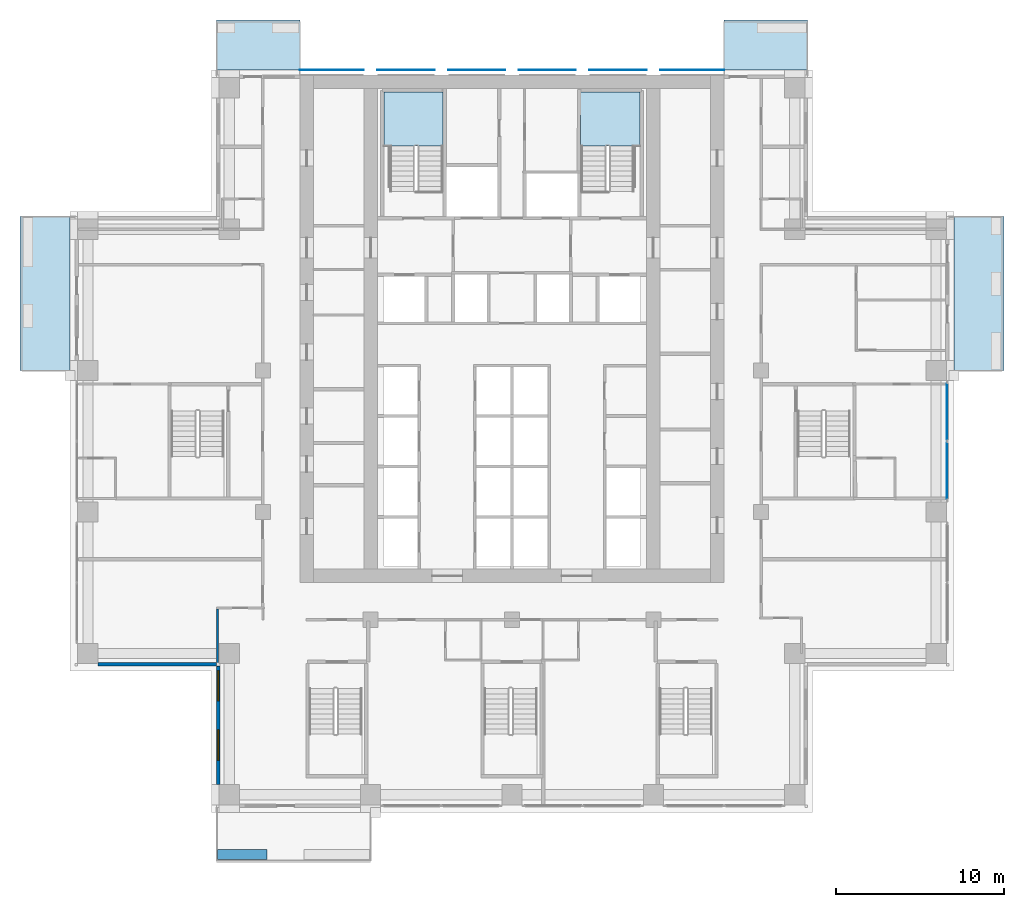
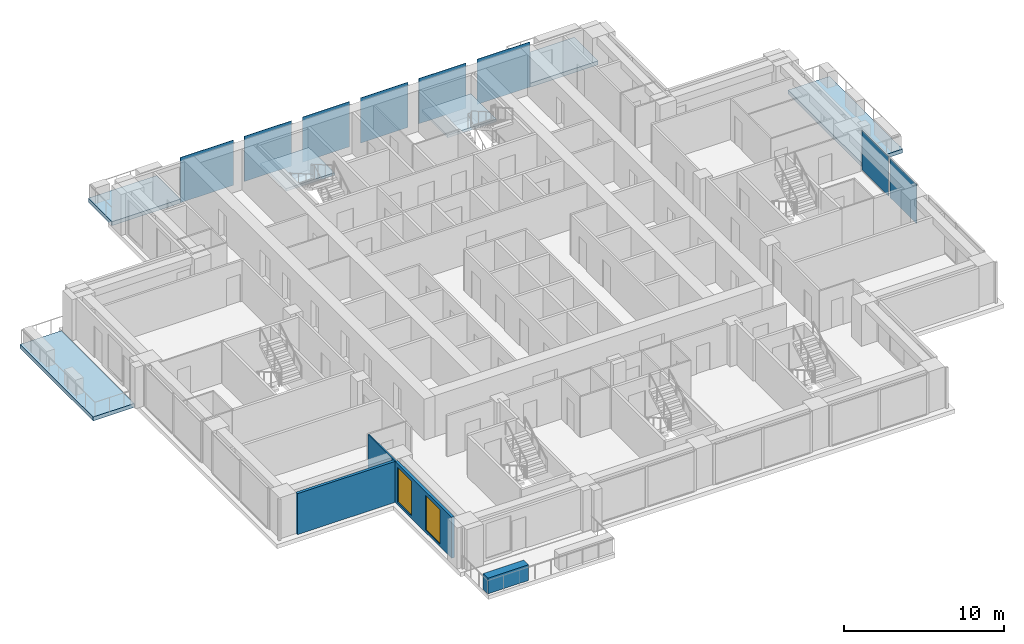
# One storey, part 6 of 17: 8 plates, 6 slabs, 4 walls, 2 windows, 2 openings, 3 elements without a shape of their own.
"""IFC4 building model written with IfcOpenShell, lengths in metres."""

from ifc_helpers import new_model, si_unit, direction, frame, frame_2d, origin, origin_2d, place, context, subcontext, project, spatial, polyline, rectangle, outline, extrude, material, layer, layer_set, type_object, element, fill, aggregate, save


model = new_model("IFC4")

# Units and contexts
model_context = context("Model", 3, precision=1e-05, world=origin(), true_north=direction((0.0, 1.0)))
body_context = subcontext(model_context, "Body", "Model", "MODEL_VIEW")
ifc_project = project(units=[si_unit("LENGTHUNIT", "METRE"), si_unit("AREAUNIT", "SQUARE_METRE"), si_unit("VOLUMEUNIT", "CUBIC_METRE"), si_unit("PLANEANGLEUNIT", "RADIAN"), si_unit("MASSUNIT", "GRAM", prefix="KILO")], contexts=[model_context])

# Site, building, storey
site_placement = place(None, origin())
site = spatial("IfcSite", under=ifc_project, at=site_placement, CompositionType="ELEMENT")
building_placement = place(site_placement, origin())
building = spatial("IfcBuilding", under=site, at=building_placement, Name="Vermilion Ogive Tower", CompositionType="ELEMENT")
storey_placement = place(building_placement, frame((0.0, 0.0, 87.300048828125)))
storey = spatial("IfcBuildingStorey", under=building, at=storey_placement, Name="L21", CompositionType="ELEMENT", Elevation=87.300048828125)

# Slabs
ifc_material_1 = material(Name="Concrete B40", Category="concrete")
ifc_layer_1 = layer(ifc_material_1, 0.300048828125)
ifc_layer_set_1 = layer_set([ifc_layer_1], Name="Balcony slab")
slab_type_1 = type_object("IfcSlabType", Name="Balcony slab", PredefinedType="FLOOR", material=ifc_layer_set_1)
slab_1_placement = place(storey_placement, frame((0.0, 0.0, -0.340087890625)))
element("IfcSlab", 1, at=slab_1_placement, inside=storey, type_object=slab_type_1, Name="Balcony slab E03", PredefinedType="FLOOR", context=body_context, shape_type="SweptSolid", body=[
    extrude(outline(polyline([(29.22998046875, 4.199951171875), (29.22998046875, 13.35009765625), (26.25, 13.35009765625), (26.25, 4.199951171875), (29.22998046875, 4.199951171875)])), origin(), (0.0, 0.0, 1.0), 0.300048828125),
])
slab_2_placement = place(storey_placement, frame((0.0, 0.0, -0.340087890625)))
element("IfcSlab", 2, at=slab_2_placement, inside=storey, type_object=slab_type_1, Name="Balcony slab N101", PredefinedType="FLOOR", context=body_context, shape_type="SweptSolid", body=[
    extrude(outline(polyline([(17.550048828125, 25.030029296875), (12.60009765625, 25.030029296875), (12.60009765625, 22.050048828125), (17.550048828125, 22.050048828125), (17.550048828125, 25.030029296875)])), origin(), (0.0, 0.0, 1.0), 0.300048828125),
])
slab_3_placement = place(storey_placement, frame((0.0, 0.0, -0.340087890625)))
element("IfcSlab", 3, at=slab_3_placement, inside=storey, type_object=slab_type_1, Name="Balcony slab N201", PredefinedType="FLOOR", context=body_context, shape_type="SweptSolid", body=[
    extrude(outline(polyline([(-12.60009765625, 25.030029296875), (-17.550048828125, 25.030029296875), (-17.550048828125, 22.050048828125), (-12.60009765625, 22.050048828125), (-12.60009765625, 25.030029296875)])), origin(), (0.0, 0.0, 1.0), 0.300048828125),
])
slab_4_placement = place(storey_placement, frame((0.0, 0.0, -0.340087890625)))
element("IfcSlab", 4, at=slab_4_placement, inside=storey, type_object=slab_type_1, Name="Balcony slab W01", PredefinedType="FLOOR", context=body_context, shape_type="SweptSolid", body=[
    extrude(outline(polyline([(-29.22998046875, 13.35009765625), (-29.22998046875, 4.199951171875), (-26.25, 4.199951171875), (-26.25, 13.35009765625), (-29.22998046875, 13.35009765625)])), origin(), (0.0, 0.0, 1.0), 0.300048828125),
])

# Curtain wall, plates
ifc_material_2 = material(Name="Low-iron laminated glazing in aluminium frame", Category="aluminium")
curtain_wall_type = type_object("IfcCurtainWallType", Name="Curtain wall CW7", PredefinedType="NOTDEFINED", material=ifc_material_2)
curtain_wall_placement = place(storey_placement, origin())
curtain_wall = element("IfcCurtainWall", 5, at=curtain_wall_placement, inside=storey, type_object=curtain_wall_type, Name="Glazed skin E2", PredefinedType="NOTDEFINED")
ifc_material_3 = material(Name="Low-iron laminated glazing in aluminium frame", Category="aluminium")
ifc_layer_2 = layer(ifc_material_3, 0.031982421875)
ifc_layer_set_2 = layer_set([ifc_layer_2], Name="CW7 glazing panel 32")
plate_type_1 = type_object("IfcPlateType", Name="CW7 glazing panel 32", PredefinedType="CURTAIN_PANEL", material=ifc_layer_set_2)
plate_1_placement = place(storey_placement, frame((25.85009765625, -1.7548828125, 0.06005859375), z_axis=(0.0, 0.0, 1.0), x_axis=(0.0, 1.0, 0.0)))
plate_1 = element("IfcPlate", 6, at=plate_1_placement, type_object=plate_type_1, Name="CW7-E2 panel 1.1", PredefinedType="CURTAIN_PANEL", context=body_context, shape_type="SweptSolid", body=[
    extrude(rectangle(XDim=3.330078125, YDim=0.031982421875, at=origin_2d()), origin(), (0.0, 0.0, 1.0), 3.010009765625),
])
plate_2_placement = place(storey_placement, frame((25.85009765625, 1.7548828125, 0.06005859375), z_axis=(0.0, 0.0, 1.0), x_axis=(0.0, 1.0, 0.0)))
plate_2 = element("IfcPlate", 7, at=plate_2_placement, type_object=plate_type_1, Name="CW7-E2 panel 2.1", PredefinedType="CURTAIN_PANEL", context=body_context, shape_type="SweptSolid", body=[
    extrude(rectangle(XDim=3.330078125, YDim=0.031982421875, at=origin_2d()), origin(), (0.0, 0.0, 1.0), 3.010009765625),
])
aggregate(curtain_wall, [plate_1, plate_2])

# Plates
ifc_material_4 = material(Name="Low-iron laminated glazing in aluminium frame", Category="aluminium")
ifc_layer_3 = layer(ifc_material_4, 0.031982421875)
ifc_layer_set_3 = layer_set([ifc_layer_3], Name="Glazed rainscreen sheet 32")
plate_type_2 = type_object("IfcPlateType", Name="Glazed rainscreen sheet 32", PredefinedType="SHEET", material=ifc_layer_set_3)
plate_3_placement = place(storey_placement, frame((-10.7099609375, 22.06591796875, -0.31982421875), z_axis=(0.0, 0.0, 1.0), x_axis=(1.0, 0.0, 0.0)))
element("IfcPlate", 8, at=plate_3_placement, inside=storey, type_object=plate_type_2, Name="Glazed rainscreen sheet N1", PredefinedType="SHEET", context=body_context, shape_type="SweptSolid", body=[
    extrude(rectangle(XDim=3.820068359375, YDim=0.031982421875, at=origin_2d()), origin(), (0.0, 0.0, 1.0), 3.449951171875),
])
for number, where, z_axis, x_axis, name in (
    (9, (-6.300048828125, 22.06591796875, -0.31982421875), (0.0, 0.0, 1.0), (1.0, 0.0, 0.0), "Glazed rainscreen sheet N2"),
    (10, (-2.10009765625, 22.06591796875, -0.31982421875), (0.0, 0.0, 1.0), (1.0, 0.0, 0.0), "Glazed rainscreen sheet N3"),
    (11, (2.10009765625, 22.06591796875, -0.31982421875), (0.0, 0.0, 1.0), (1.0, 0.0, 0.0), "Glazed rainscreen sheet N4"),
    (12, (6.300048828125, 22.06591796875, -0.31982421875), (0.0, 0.0, 1.0), (1.0, 0.0, 0.0), "Glazed rainscreen sheet N5"),
):
    element("IfcPlate", number, at=place(storey_placement, frame(where, z_axis=z_axis, x_axis=x_axis)), inside=storey, type_object=plate_type_2, Name=name, PredefinedType="SHEET", context=body_context, shape_type="SweptSolid", body=[
        extrude(rectangle(XDim=3.39990234375, YDim=0.031982421875, at=origin_2d()), origin(), (0.0, 0.0, 1.0), 3.449951171875),
    ])
plate_4_placement = place(storey_placement, frame((10.7099609375, 22.06591796875, -0.31982421875), z_axis=(0.0, 0.0, 1.0), x_axis=(1.0, 0.0, 0.0)))
element("IfcPlate", 13, at=plate_4_placement, inside=storey, type_object=plate_type_2, Name="Glazed rainscreen sheet N6", PredefinedType="SHEET", context=body_context, shape_type="SweptSolid", body=[
    extrude(rectangle(XDim=3.820068359375, YDim=0.031982421875, at=origin_2d()), origin(), (0.0, 0.0, 1.0), 3.449951171875),
])

# Stair, slab
ifc_material_5 = material(Name="Concrete B40", Category="concrete")
stair_type = type_object("IfcStairType", Name="Exit stair 1500", PredefinedType="HALF_TURN_STAIR", material=ifc_material_5)
stair_1_placement = place(storey_placement, origin())
stair_1 = element("IfcStair", 14, at=stair_1_placement, inside=storey, type_object=stair_type, Name="L21 Exit Stair ST1", PredefinedType="HALF_TURN_STAIR")
ifc_material_6 = material(Name="Concrete B40", Category="concrete")
ifc_layer_4 = layer(ifc_material_6, 0.199951171875)
ifc_layer_set_4 = layer_set([ifc_layer_4], Name="Stair landing 200")
slab_type_2 = type_object("IfcSlabType", Name="Stair landing 200", PredefinedType="LANDING", material=ifc_layer_set_4)
slab_5_placement = place(storey_placement, frame((0.0, 0.0, 1.52490234375)))
slab_5 = element("IfcSlab", 15, at=slab_5_placement, type_object=slab_type_2, Name="ST1 landing 1", PredefinedType="LANDING", context=body_context, shape_type="SweptSolid", body=[
    extrude(outline(polyline([(-7.60009765625, 17.550048828125), (-7.25, 17.550048828125), (-7.25, 17.548095703125), (-5.75, 17.548095703125), (-5.75, 17.550048828125), (-5.60009765625, 17.550048828125), (-5.60009765625, 17.548095703125), (-4.10009765625, 17.548095703125), (-4.10009765625, 20.75), (-7.60009765625, 20.75), (-7.60009765625, 17.550048828125)])), origin(), (0.0, 0.0, 1.0), 0.199951171875),
])
aggregate(stair_1, [slab_5])

stair_2_placement = place(storey_placement, origin())
stair_2 = element("IfcStair", 16, at=stair_2_placement, inside=storey, type_object=stair_type, Name="L21 Exit Stair ST2", PredefinedType="HALF_TURN_STAIR")
slab_6_placement = place(storey_placement, frame((0.0, 0.0, 1.52490234375)))
slab_6 = element("IfcSlab", 17, at=slab_6_placement, type_object=slab_type_2, Name="ST2 landing 1", PredefinedType="LANDING", context=body_context, shape_type="SweptSolid", body=[
    extrude(outline(polyline([(5.60009765625, 17.550048828125), (5.75, 17.550048828125), (5.75, 17.548095703125), (7.25, 17.548095703125), (7.25, 17.550048828125), (7.60009765625, 17.550048828125), (7.60009765625, 20.75), (4.074951171875, 20.75), (4.074951171875, 17.550048828125), (4.10009765625, 17.550048828125), (4.10009765625, 17.548095703125), (5.60009765625, 17.548095703125), (5.60009765625, 17.550048828125)])), origin(), (0.0, 0.0, 1.0), 0.199951171875),
])
aggregate(stair_2, [slab_6])

# Walls
ifc_material_7 = material(Name="Gypsum board partition on steel studs", Category="steel")
ifc_layer_5 = layer(ifc_material_7, 0.10009765625)
ifc_layer_set_5 = layer_set([ifc_layer_5], Name="Partition 100 bath")
wall_type_1 = type_object("IfcWallType", Name="Partition 100 bath", PredefinedType="PARTITIONING", material=ifc_layer_set_5)
wall_1_placement = place(storey_placement, frame((-17.5, -13.35009765625, 0.0), z_axis=(0.0, 0.0, 1.0), x_axis=(0.0, 1.0, 0.0)))
element("IfcWall", 18, at=wall_1_placement, inside=storey, type_object=wall_type_1, Name="L21-W-W041", PredefinedType="PARTITIONING", context=body_context, shape_type="SweptSolid", body=[
    extrude(rectangle(XDim=3.400146484375, YDim=0.10009765625, at=frame_2d((1.7001953125, 0.0))), origin(), (0.0, 0.0, 1.0), 3.1298828125),
])
ifc_material_8 = material(Name="Concrete B40", Category="concrete")
ifc_layer_6 = layer(ifc_material_8, 0.60009765625)
ifc_layer_set_6 = layer_set([ifc_layer_6], Name="Structural planter")
wall_type_2 = type_object("IfcWallType", Name="Structural planter", PredefinedType="USERDEFINED", material=ifc_layer_set_6)
wall_2_placement = place(storey_placement, frame((-17.489990234375, -24.550048828125, -0.0400390625), z_axis=(0.0, 0.0, 1.0), x_axis=(1.0, 0.0, 0.0)))
element("IfcWall", 19, at=wall_2_placement, inside=storey, type_object=wall_type_2, Name="Planter S01A1", ObjectType="PLANTER", PredefinedType="USERDEFINED", context=body_context, shape_type="SweptSolid", body=[
    extrude(rectangle(XDim=2.93994140625, YDim=0.60009765625, at=frame_2d((1.469970703125, 0.0))), origin(), (0.0, 0.0, 1.0), 1.199951171875),
])
ifc_material_9 = material(Name="Aluminium window wall framing", Category="aluminium")
ifc_layer_7 = layer(ifc_material_9, 0.199951171875)
ifc_layer_set_7 = layer_set([ifc_layer_7], Name="Window wall")
wall_type_3 = type_object("IfcWallType", Name="Window wall", PredefinedType="STANDARD", material=ifc_layer_set_7)
wall_3_placement = place(storey_placement, frame((-24.60009765625, -13.25, 0.0), z_axis=(0.0, 0.0, 1.0), x_axis=(1.0, 0.0, 0.0)))
element("IfcWall", 20, at=wall_3_placement, inside=storey, type_object=wall_type_3, Name="Window wall X71", PredefinedType="STANDARD", context=body_context, shape_type="SweptSolid", body=[
    extrude(rectangle(XDim=7.050048828125, YDim=0.199951171875, at=frame_2d((3.52490234375, 0.0))), origin(), (0.0, 0.0, 1.0), 3.1298828125),
])

# Wall, openings, windows
wall_4_placement = place(storey_placement, frame((-17.449951171875, -13.35009765625, 0.0), z_axis=(0.0, 0.0, 1.0), x_axis=(0.0, -1.0, 0.0)))
wall_4 = element("IfcWall", 21, at=wall_4_placement, inside=storey, type_object=wall_type_3, Name="Window wall X81", PredefinedType="STANDARD", context=body_context, shape_type="SweptSolid", body=[
    extrude(rectangle(XDim=7.0498046875, YDim=0.199951171875, at=frame_2d((3.52490234375, 0.0))), origin(), (0.0, 0.0, 1.0), 3.1298828125),
])
opening_1_placement = place(wall_4_placement, frame((3.800048828125, 0.0, 0.199951171875)))
opening_1 = element("IfcOpeningElement", 22, at=opening_1_placement, cuts=wall_4, Name="Opening W1-X895", PredefinedType="OPENING", context=body_context, shape_type="SweptSolid", body=[
    extrude(rectangle(XDim=1.800048828125, YDim=2.64990234375, at=frame_2d((0.89990234375, 1.324951171875))), frame((0.0, 0.10986328125, 0.0), z_axis=(0.0, -1.0, 0.0), x_axis=(1.0, 0.0, 0.0)), (0.0, 0.0, 1.0), 0.219970703125),
])
opening_2_placement = place(wall_4_placement, frame((0.27490234375, 0.0, 0.199951171875)))
opening_2 = element("IfcOpeningElement", 23, at=opening_2_placement, cuts=wall_4, Name="Opening W1-X896", PredefinedType="OPENING", context=body_context, shape_type="SweptSolid", body=[
    extrude(rectangle(XDim=1.800048828125, YDim=2.64990234375, at=frame_2d((0.89990234375, 1.324951171875))), frame((0.0, 0.10986328125, 0.0), z_axis=(0.0, -1.0, 0.0), x_axis=(1.0, 0.0, 0.0)), (0.0, 0.0, 1.0), 0.219970703125),
])
ifc_material_10 = material(Name="Aluminium framed double glazing", Category="aluminium")
window_type = type_object("IfcWindowType", Name="Guest window W1", PartitioningType="SINGLE_PANEL", PredefinedType="WINDOW", material=ifc_material_10)
window_1_placement = place(opening_1_placement, origin())
window_1 = element("IfcWindow", 24, at=window_1_placement, inside=storey, type_object=window_type, Name="Window X895", OverallHeight=2.64990234375, OverallWidth=1.800048828125, PartitioningType="SINGLE_PANEL", PredefinedType="WINDOW", context=body_context, shape_type="SweptSolid", body=[
    extrude(rectangle(XDim=1.800048828125, YDim=2.64990234375, at=frame_2d((0.89990234375, 1.324951171875))), frame((0.0, 0.030029296875, 0.0), z_axis=(0.0, -1.0, 0.0), x_axis=(1.0, 0.0, 0.0)), (0.0, 0.0, 1.0), 0.06005859375),
])
fill(opening_1, window_1)
window_2_placement = place(opening_2_placement, origin())
window_2 = element("IfcWindow", 25, at=window_2_placement, inside=storey, type_object=window_type, Name="Window X896", OverallHeight=2.64990234375, OverallWidth=1.800048828125, PartitioningType="SINGLE_PANEL", PredefinedType="WINDOW", context=body_context, shape_type="SweptSolid", body=[
    extrude(rectangle(XDim=1.800048828125, YDim=2.64990234375, at=frame_2d((0.89990234375, 1.324951171875))), frame((0.0, 0.030029296875, 0.0), z_axis=(0.0, -1.0, 0.0), x_axis=(1.0, 0.0, 0.0)), (0.0, 0.0, 1.0), 0.06005859375),
])
fill(opening_2, window_2)

save(model, "model.ifc")
